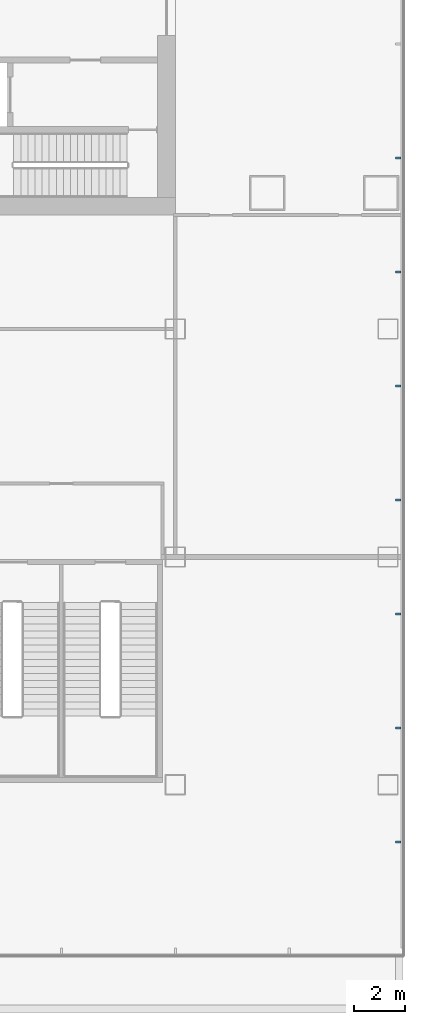
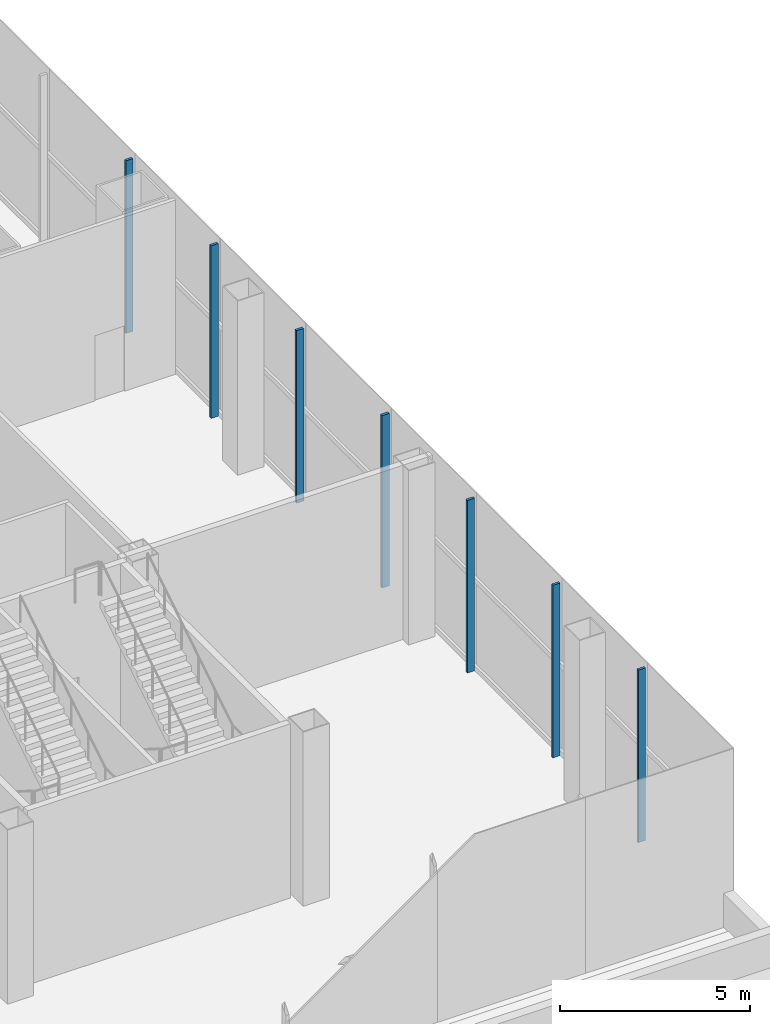
# One storey, part 16 of 38: 7 members, 1 element without a shape of its own.
"""IFC4 building model written with IfcOpenShell, lengths in metres."""

import ifcopenshell
import ifcopenshell.guid

model = None  # the IFC model being written
_history = None  # IfcOwnerHistory: only IFC2X3 demands one
_inside = {}  # id of a spatial element -> (the spatial element, [elements in it])
_under = {}  # id of a project, library or spatial element -> (it, [spatial elements below it])
_declared = {}  # id of a project -> (the project, [libraries it declares])
_typed = {}  # id of a type object -> (the type object, [elements of that type])
_made_of = {}  # id of a material, layer set ... -> (it, [elements and type objects made of it])


def new_model(schema):
    """Start an empty IFC model of exactly this schema.

    Asked for "IFC4X3", IfcOpenShell would pick the latest addendum, in which some entities
    have other attributes; the version numbers below select the first issue.
    IFC2X3 requires an IfcOwnerHistory on every rooted entity: one is made here for all.
    """
    global model, _history
    if schema == "IFC4X3":
        model = ifcopenshell.file(schema_version=(4, 3, 0, 0))
    else:
        model = ifcopenshell.file(schema=schema)
    _inside.clear()
    _under.clear()
    _declared.clear()
    _typed.clear()
    _made_of.clear()
    _history = None
    if model.schema == "IFC2X3":
        org = make("IfcOrganization", Name="unknown")
        user = make(
            "IfcPersonAndOrganization",
            ThePerson=make("IfcPerson", FamilyName="unknown"),
            TheOrganization=org,
        )
        app = make(
            "IfcApplication",
            ApplicationDeveloper=org,
            Version="unknown",
            ApplicationFullName="unknown",
            ApplicationIdentifier="unknown",
        )
        _history = make(
            "IfcOwnerHistory",
            OwningUser=user,
            OwningApplication=app,
            ChangeAction="ADDED",
            CreationDate=0,
        )
    return model


def make(cls, **values):
    """One entity of the class cls with the attributes given. An attribute that is None is left unset."""
    return model.create_entity(
        cls, **{name: value for name, value in values.items() if value is not None}
    )


def rooted(cls, **values):
    """An entity with a GlobalId (a new one), such as an element, a storey or a relation."""
    return make(cls, GlobalId=ifcopenshell.guid.new(), OwnerHistory=_history, **values)


def si_unit(unit_type, name, prefix=None):
    """IfcSIUnit, for example si_unit("LENGTHUNIT", "METRE", prefix="MILLI")."""
    return make("IfcSIUnit", UnitType=unit_type, Prefix=prefix, Name=name)


def assignment(units):
    """IfcUnitAssignment: the units of a project."""
    return None if units is None else make("IfcUnitAssignment", Units=units)


def point(xyz):
    """IfcCartesianPoint."""
    return None if xyz is None else make("IfcCartesianPoint", Coordinates=xyz)


def direction(xyz):
    """IfcDirection."""
    return None if xyz is None else make("IfcDirection", DirectionRatios=xyz)


def frame(location, z_axis=None, x_axis=None):
    """IfcAxis2Placement3D, a coordinate frame: its origin and axes. An axis left out is left unset."""
    return make(
        "IfcAxis2Placement3D",
        Location=point(location),
        Axis=direction(z_axis),
        RefDirection=direction(x_axis),
    )


def frame_2d(location, x_axis=None):
    """IfcAxis2Placement2D, a coordinate frame in the plane: its origin and x axis."""
    return make(
        "IfcAxis2Placement2D", Location=point(location), RefDirection=direction(x_axis)
    )


def origin():
    """The frame at (0, 0, 0) with its axes left unset."""
    return frame((0.0, 0.0, 0.0))


def origin_2d():
    """The frame at (0, 0) in the plane with its x axis left unset."""
    return frame_2d((0.0, 0.0))


def place(relative_to, where):
    """IfcLocalPlacement: puts the frame where relative to a parent placement (None: the world)."""
    return make(
        "IfcLocalPlacement", PlacementRelTo=relative_to, RelativePlacement=where
    )


def context(
    kind, dimensions, precision=None, world=None, true_north=None, identifier=None
):
    """IfcGeometricRepresentationContext, for example the 3D "Model" context."""
    return make(
        "IfcGeometricRepresentationContext",
        ContextIdentifier=identifier,
        ContextType=kind,
        CoordinateSpaceDimension=dimensions,
        Precision=precision,
        WorldCoordinateSystem=world,
        TrueNorth=true_north,
    )


def subcontext(parent, identifier, kind, view, scale=None):
    """IfcGeometricRepresentationSubContext, for example "Body" below "Model"."""
    return make(
        "IfcGeometricRepresentationSubContext",
        ContextIdentifier=identifier,
        ContextType=kind,
        ParentContext=parent,
        TargetScale=scale,
        TargetView=view,
    )


def project(units=None, contexts=None):
    """IfcProject with its units and contexts."""
    return rooted(
        "IfcProject",
        Name="project",
        RepresentationContexts=contexts,
        UnitsInContext=assignment(units),
    )


def spatial(cls, under=None, at=None, **own):
    """A site, building, storey or space (cls), placed at a placement, below another one or the project."""
    s = rooted(cls, ObjectPlacement=at, **own)
    if under is not None:
        _under.setdefault(under.id(), (under, []))[1].append(s)
    return s


def profile(cls, at=None, kind="AREA", **sizes):
    """A parametric profile (cls). Its sizes go by their IFC names, for example OverallWidth=200.0."""
    return make(cls, ProfileType=kind, Position=at, **sizes)


def rectangle(**sizes):
    """IfcRectangleProfileDef."""
    return profile("IfcRectangleProfileDef", **sizes)


def extrude(swept, where, along, depth):
    """IfcExtrudedAreaSolid: the profile swept, set in the frame where, extruded along a direction by depth."""
    return make(
        "IfcExtrudedAreaSolid",
        SweptArea=swept,
        Position=where,
        ExtrudedDirection=direction(along),
        Depth=depth,
    )


def shape(context_of_items, identifier, shape_type, items):
    """IfcShapeRepresentation: the items that make up one representation, for example the "Body"."""
    return make(
        "IfcShapeRepresentation",
        ContextOfItems=context_of_items,
        RepresentationIdentifier=identifier,
        RepresentationType=shape_type,
        Items=items,
    )


def material(Name=None, Category=None):
    """IfcMaterial."""
    return make("IfcMaterial", Name=Name, Category=Category)


def layer(
    of_material, thickness, ventilated=None, Name=None, Category=None, Priority=None
):
    """IfcMaterialLayer: one layer of a wall or slab, of a material (None: an air gap)."""
    return make(
        "IfcMaterialLayer",
        Material=of_material,
        LayerThickness=thickness,
        IsVentilated=ventilated,
        Name=Name,
        Category=Category,
        Priority=Priority,
    )


def layer_set(layers, Name=None):
    """IfcMaterialLayerSet."""
    return make("IfcMaterialLayerSet", MaterialLayers=layers, LayerSetName=Name)


def material_profile(
    of_material, cross_section, Name=None, Category=None, Priority=None
):
    """IfcMaterialProfile: a cross section and its material."""
    return make(
        "IfcMaterialProfile",
        Name=Name,
        Material=of_material,
        Profile=cross_section,
        Priority=Priority,
        Category=Category,
    )


def profile_set(profiles, Name=None, composite=None):
    """IfcMaterialProfileSet."""
    return make(
        "IfcMaterialProfileSet",
        Name=Name,
        MaterialProfiles=profiles,
        CompositeProfile=composite,
    )


def made_of(thing, what):
    """Note that an element or type object is made of a material, layer set ...; save() writes the relation."""
    if what is not None:
        _made_of.setdefault(what.id(), (what, []))[1].append(thing)
    return thing


def type_object(cls, material=None, **own):
    """A type object (cls), such as IfcWallType, which elements share."""
    return made_of(rooted(cls, **own), material)


def element(
    cls,
    number,
    at=None,
    inside=None,
    cuts=None,
    type_object=None,
    material=None,
    context=None,
    identifier="Body",
    shape_type=None,
    held_by="IfcProductDefinitionShape",
    body=None,
    shapes=None,
    **own,
):
    """One element of the class cls, such as IfcWall. Its Tag is "e" and its number.

    at: its placement. inside: the storey or other place that contains it. cuts: it is an
    opening in that element (IfcRelVoidsElement). A single representation is given by context,
    identifier, shape_type and body (its items); several are given by shapes. held_by: the class
    of the entity that holds the representations. save() writes the other relations.
    """
    e = rooted(cls, Tag="e%d" % number, ObjectPlacement=at, **own)
    if body is not None:
        shapes = [shape(context, identifier, shape_type, body)]
    if shapes is not None:
        e.Representation = make(held_by, Representations=shapes)
    if inside is not None:
        _inside.setdefault(inside.id(), (inside, []))[1].append(e)
    if cuts is not None:
        rooted(
            "IfcRelVoidsElement", RelatingBuildingElement=cuts, RelatedOpeningElement=e
        )
    if type_object is not None:
        _typed.setdefault(type_object.id(), (type_object, []))[1].append(e)
    return made_of(e, material)


def aggregate(whole, parts):
    """IfcRelAggregates: a whole, such as a stair, and the parts it consists of."""
    return rooted("IfcRelAggregates", RelatingObject=whole, RelatedObjects=parts)


def save(model, path):
    """Write the relations noted so far, then the file.

    IfcRelAggregates (storeys below a building ...), IfcRelContainedInSpatialStructure (elements
    in a storey), IfcRelDefinesByType, IfcRelAssociatesMaterial and IfcRelDeclares: one each for
    every whole, place, type object, material and project.
    """
    for whole, parts in _under.values():
        aggregate(whole, parts)
    for where, things in _inside.values():
        rooted(
            "IfcRelContainedInSpatialStructure",
            RelatedElements=things,
            RelatingStructure=where,
        )
    for kind, things in _typed.values():
        rooted("IfcRelDefinesByType", RelatedObjects=things, RelatingType=kind)
    for what, things in _made_of.values():
        rooted("IfcRelAssociatesMaterial", RelatedObjects=things, RelatingMaterial=what)
    for by, libraries in _declared.values():
        rooted("IfcRelDeclares", RelatingContext=by, RelatedDefinitions=libraries)
    model.write(path)


model = new_model("IFC4")

# Units and contexts
model_context = context("Model", 3, precision=1e-05, world=origin(), true_north=direction((0.0, 1.0)))
body_context = subcontext(model_context, "Body", "Model", "MODEL_VIEW")
ifc_project = project(units=[si_unit("LENGTHUNIT", "METRE"), si_unit("AREAUNIT", "SQUARE_METRE"), si_unit("VOLUMEUNIT", "CUBIC_METRE"), si_unit("PLANEANGLEUNIT", "RADIAN"), si_unit("MASSUNIT", "GRAM", prefix="KILO")], contexts=[model_context])

# Site, building, storey
site_placement = place(None, origin())
site = spatial("IfcSite", under=ifc_project, at=site_placement, CompositionType="ELEMENT")
building_placement = place(site_placement, origin())
building = spatial("IfcBuilding", under=site, at=building_placement, Name="Shamsa Quay Exchange Towers", CompositionType="ELEMENT")
storey_placement = place(building_placement, frame((0.0, 0.0, 12.5)))
storey = spatial("IfcBuildingStorey", under=building, at=storey_placement, Name="L02", CompositionType="ELEMENT", Elevation=12.5)

# Curtain wall, members
ifc_material = material(Name="Aluminium EN AW-6063 T6, black anodised", Category="aluminium")
ifc_layer = layer(ifc_material, 0.33203125)
ifc_layer_set = layer_set([ifc_layer], Name="CW-3 PODIUM SHOPFRONT GLAZING")
curtain_wall_type = type_object("IfcCurtainWallType", Name="CW-3 PODIUM SHOPFRONT GLAZING", PredefinedType="NOTDEFINED", material=ifc_layer_set)
curtain_wall_placement = place(storey_placement, origin())
curtain_wall = element("IfcCurtainWall", 1, at=curtain_wall_placement, inside=storey, type_object=curtain_wall_type, Name="CW3 PODIUM-L02-F00", PredefinedType="NOTDEFINED")
ifc_material_profile = material_profile(ifc_material, rectangle(XDim=0.219970703125, YDim=0.080078125, at=origin_2d()), Name="MU80x220")
ifc_profile_set = profile_set([ifc_material_profile], Name="Aluminium EN AW-6063 T6, black anodised")
member_type = type_object("IfcMemberType", Name="CW3 MULLION 80x220", PredefinedType="MULLION", material=ifc_profile_set)
member_1_placement = place(storey_placement, frame((62.81005859375, -31.5, 0.0), z_axis=(0.0, 0.0, 1.0), x_axis=(-1.0, 0.0, 0.0)))
member_1 = element("IfcMember", 2, at=member_1_placement, type_object=member_type, Name="CW3 mullion", PredefinedType="MULLION", context=body_context, shape_type="SweptSolid", body=[
    extrude(rectangle(XDim=0.219970703125, YDim=0.080078125, at=origin_2d()), origin(), (0.0, 0.0, 1.0), 5.550048828125),
])
member_2_placement = place(storey_placement, frame((62.81005859375, -27.0, 0.0), z_axis=(0.0, 0.0, 1.0), x_axis=(-1.0, 0.0, 0.0)))
member_2 = element("IfcMember", 3, at=member_2_placement, type_object=member_type, Name="CW3 mullion", PredefinedType="MULLION", context=body_context, shape_type="SweptSolid", body=[
    extrude(rectangle(XDim=0.219970703125, YDim=0.080078125, at=origin_2d()), origin(), (0.0, 0.0, 1.0), 5.550048828125),
])
member_3_placement = place(storey_placement, frame((62.81005859375, -22.5, 0.0), z_axis=(0.0, 0.0, 1.0), x_axis=(-1.0, 0.0, 0.0)))
member_3 = element("IfcMember", 4, at=member_3_placement, type_object=member_type, Name="CW3 mullion", PredefinedType="MULLION", context=body_context, shape_type="SweptSolid", body=[
    extrude(rectangle(XDim=0.219970703125, YDim=0.080078125, at=origin_2d()), origin(), (0.0, 0.0, 1.0), 5.550048828125),
])
member_4_placement = place(storey_placement, frame((62.81005859375, -18.0, 0.0), z_axis=(0.0, 0.0, 1.0), x_axis=(-1.0, 0.0, 0.0)))
member_4 = element("IfcMember", 5, at=member_4_placement, type_object=member_type, Name="CW3 mullion", PredefinedType="MULLION", context=body_context, shape_type="SweptSolid", body=[
    extrude(rectangle(XDim=0.219970703125, YDim=0.080078125, at=origin_2d()), origin(), (0.0, 0.0, 1.0), 5.550048828125),
])
member_5_placement = place(storey_placement, frame((62.81005859375, -13.5, 0.0), z_axis=(0.0, 0.0, 1.0), x_axis=(-1.0, 0.0, 0.0)))
member_5 = element("IfcMember", 6, at=member_5_placement, type_object=member_type, Name="CW3 mullion", PredefinedType="MULLION", context=body_context, shape_type="SweptSolid", body=[
    extrude(rectangle(XDim=0.219970703125, YDim=0.080078125, at=origin_2d()), origin(), (0.0, 0.0, 1.0), 5.550048828125),
])
member_6_placement = place(storey_placement, frame((62.81005859375, -9.0, 0.0), z_axis=(0.0, 0.0, 1.0), x_axis=(-1.0, 0.0, 0.0)))
member_6 = element("IfcMember", 7, at=member_6_placement, type_object=member_type, Name="CW3 mullion", PredefinedType="MULLION", context=body_context, shape_type="SweptSolid", body=[
    extrude(rectangle(XDim=0.219970703125, YDim=0.080078125, at=origin_2d()), origin(), (0.0, 0.0, 1.0), 5.550048828125),
])
member_7_placement = place(storey_placement, frame((62.81005859375, -4.5, 0.0), z_axis=(0.0, 0.0, 1.0), x_axis=(-1.0, 0.0, 0.0)))
member_7 = element("IfcMember", 8, at=member_7_placement, type_object=member_type, Name="CW3 mullion", PredefinedType="MULLION", context=body_context, shape_type="SweptSolid", body=[
    extrude(rectangle(XDim=0.219970703125, YDim=0.080078125, at=origin_2d()), origin(), (0.0, 0.0, 1.0), 5.550048828125),
])
aggregate(curtain_wall, [member_1, member_2, member_3, member_4, member_5, member_6, member_7])

save(model, "model.ifc")
